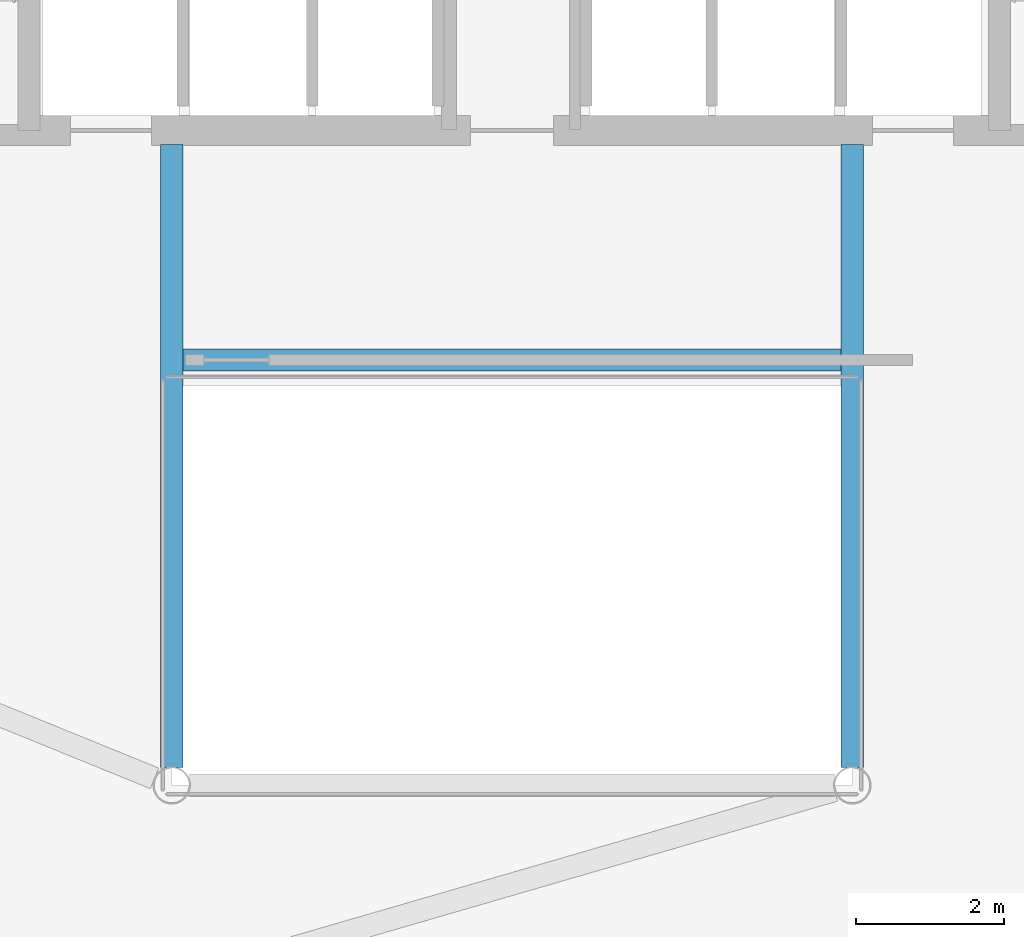
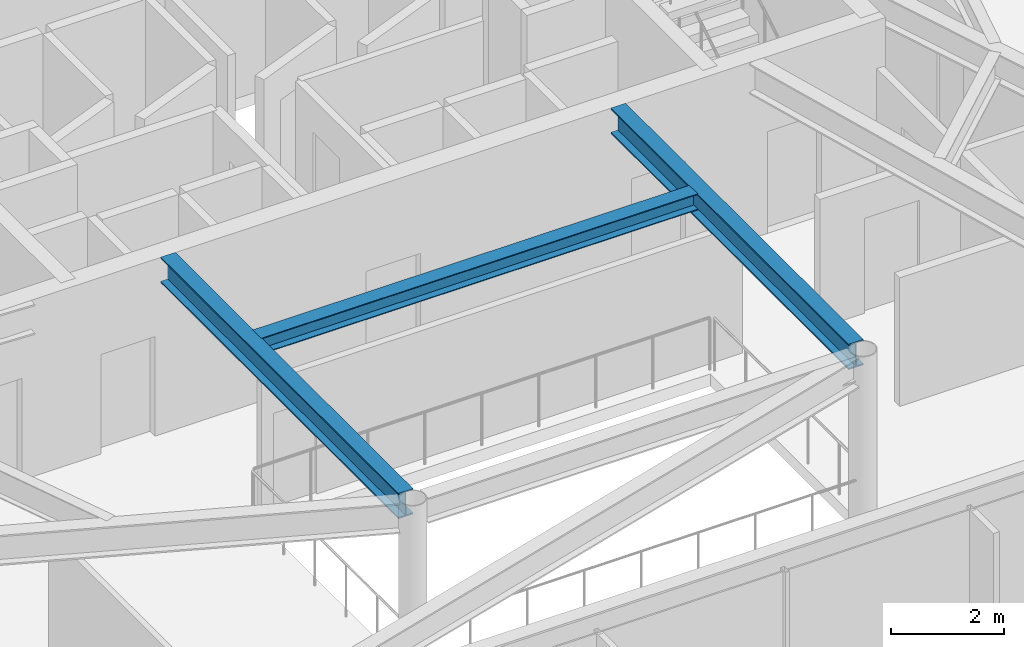
# One storey, part 8 of 26: 3 beams.
"""IFC4 building model written with IfcOpenShell, lengths in metres."""

from ifc_helpers import new_model, si_unit, direction, frame, origin, origin_2d, place, context, subcontext, project, spatial, i_section, extrude, material, material_profile, profile_set, type_object, element, save


model = new_model("IFC4")

# Units and contexts
model_context = context("Model", 3, precision=1e-05, world=origin(), true_north=direction((0.0, 1.0)))
body_context = subcontext(model_context, "Body", "Model", "MODEL_VIEW")
ifc_project = project(units=[si_unit("LENGTHUNIT", "METRE"), si_unit("AREAUNIT", "SQUARE_METRE"), si_unit("VOLUMEUNIT", "CUBIC_METRE"), si_unit("PLANEANGLEUNIT", "RADIAN"), si_unit("MASSUNIT", "GRAM", prefix="KILO")], contexts=[model_context])

# Site, building, storey
site_placement = place(None, origin())
site = spatial("IfcSite", under=ifc_project, at=site_placement, CompositionType="ELEMENT")
building_placement = place(site_placement, origin())
building = spatial("IfcBuilding", under=site, at=building_placement, Name="Zarrinselat Tower", CompositionType="ELEMENT")
storey_placement = place(building_placement, frame((0.0, 0.0, 27.5400390625)))
storey = spatial("IfcBuildingStorey", under=building, at=storey_placement, Name="L06", CompositionType="ELEMENT", Elevation=27.5400390625)

# Beams
ifc_material_1 = material(Name="Steel S355J2", Category="steel")
ifc_material_profile_1 = material_profile(ifc_material_1, i_section(OverallWidth=0.300048828125, OverallDepth=0.35009765625, WebThickness=0.010009765625, FlangeThickness=0.017578125, at=origin_2d()), Name="HEA 360")
ifc_profile_set_1 = profile_set([ifc_material_profile_1], Name="Steel S355J2")
beam_type_1 = type_object("IfcBeamType", Name="BM-HEA360", PredefinedType="LINTEL", material=ifc_profile_set_1)
beam_placement = place(storey_placement, frame((33.93994140625, 30.14990234375, 3.64501953125), z_axis=(1.0, 0.0, 0.0), x_axis=(0.0, 1.0, 0.0)))
element("IfcBeam", 1, at=beam_placement, inside=storey, type_object=beam_type_1, Name="L06 Lift Lobby Ceiling Beam", PredefinedType="LINTEL", context=body_context, shape_type="SweptSolid", body=[
    extrude(i_section(OverallWidth=0.300048828125, OverallDepth=0.35009765625, WebThickness=0.010009765625, FlangeThickness=0.017578125, at=origin_2d()), origin(), (0.0, 0.0, 1.0), 8.920166015625),
])
ifc_material_2 = material(Name="Steel S355J2", Category="steel")
ifc_material_profile_2 = material_profile(ifc_material_2, i_section(OverallWidth=0.300048828125, OverallDepth=0.550048828125, WebThickness=0.014892578125, FlangeThickness=0.029052734375, at=origin_2d()), Name="HEB 550")
ifc_profile_set_2 = profile_set([ifc_material_profile_2], Name="Steel S355J2")
beam_type_2 = type_object("IfcBeamType", Name="BM-HEB550", PredefinedType="BEAM", material=ifc_profile_set_2)
for number, where, z_axis, x_axis, name in (
    (2, (33.800048828125, 24.639892578125, 3.544921875), (0.0, 1.0, 0.0), (-1.0, 0.0, 0.0), "L06 Atrium Edge Beam W"),
    (3, (43.0, 24.639892578125, 3.544921875), (0.0, 1.0, 0.0), (-1.0, 0.0, 0.0), "L06 Atrium Edge Beam E"),
):
    element("IfcBeam", number, at=place(storey_placement, frame(where, z_axis=z_axis, x_axis=x_axis)), inside=storey, type_object=beam_type_2, Name=name, PredefinedType="BEAM", context=body_context, shape_type="SweptSolid", body=[
        extrude(i_section(OverallWidth=0.300048828125, OverallDepth=0.550048828125, WebThickness=0.014892578125, FlangeThickness=0.029052734375, at=origin_2d()), origin(), (0.0, 0.0, 1.0), 8.420166015625),
    ])

save(model, "model.ifc")
